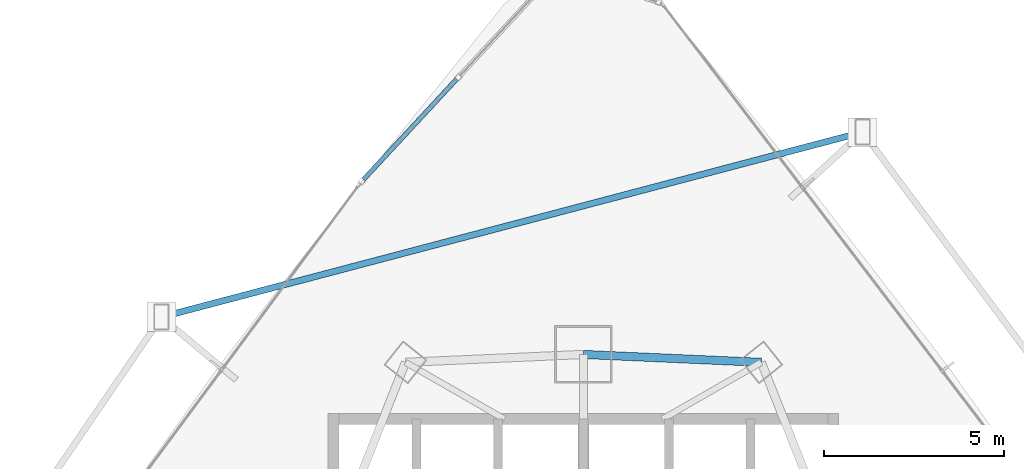
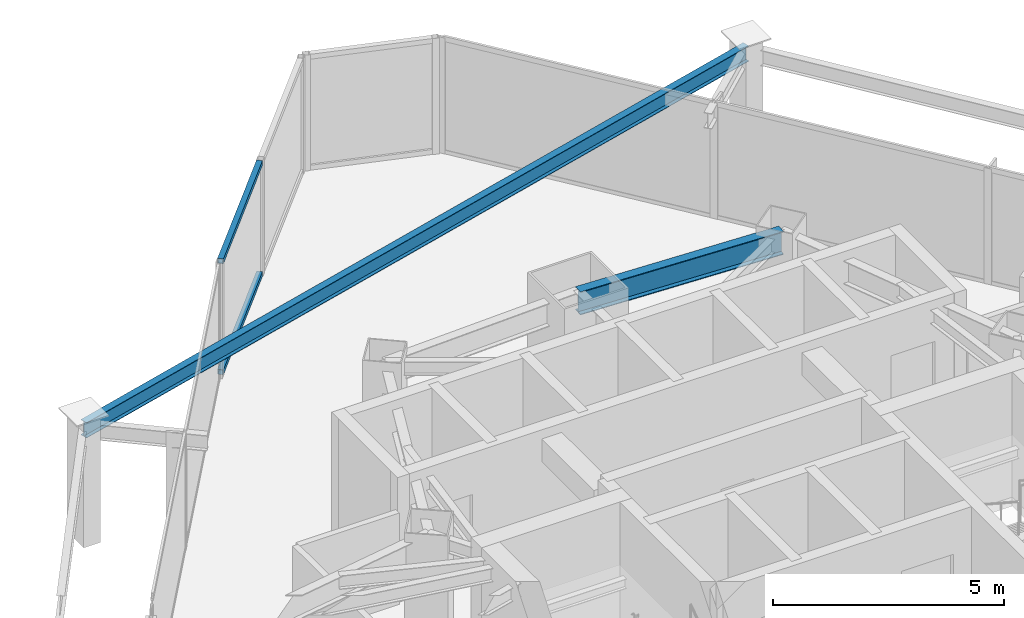
# One storey, part 26 of 38: 2 beams, 2 members, 1 element without a shape of its own.
"""IFC4 building model written with IfcOpenShell, lengths in metres."""

from ifc_helpers import new_model, si_unit, direction, frame, origin, origin_2d, place, context, subcontext, project, spatial, hollow_rectangle, i_section, extrude, material, layer, layer_set, material_profile, profile_set, type_object, element, aggregate, save


model = new_model("IFC4")

# Units and contexts
model_context = context("Model", 3, precision=1e-05, world=origin(), true_north=direction((0.0, 1.0)))
body_context = subcontext(model_context, "Body", "Model", "MODEL_VIEW")
ifc_project = project(units=[si_unit("LENGTHUNIT", "METRE"), si_unit("AREAUNIT", "SQUARE_METRE"), si_unit("VOLUMEUNIT", "CUBIC_METRE"), si_unit("PLANEANGLEUNIT", "RADIAN"), si_unit("MASSUNIT", "GRAM", prefix="KILO")], contexts=[model_context])

# Site, building, storey
site_placement = place(None, origin())
site = spatial("IfcSite", under=ifc_project, at=site_placement, CompositionType="ELEMENT")
building_placement = place(site_placement, origin())
building = spatial("IfcBuilding", under=site, at=building_placement, Name="Orvanel Arch Residences", CompositionType="ELEMENT")
storey_placement = place(building_placement, frame((0.0, 0.0, 50.0)))
storey = spatial("IfcBuildingStorey", under=building, at=storey_placement, Name="L13", CompositionType="ELEMENT", Elevation=50.0)

# Beams
ifc_material_1 = material(Name="Structural steel AS/NZS 3679.1 Grade 300 (300 MPa)", Category="steel")
ifc_material_profile_1 = material_profile(ifc_material_1, i_section(OverallWidth=0.177978515625, OverallDepth=0.406005859375, WebThickness=0.0078125, FlangeThickness=0.0126953125, at=origin_2d()), Name="410UB59.7")
ifc_profile_set_1 = profile_set([ifc_material_profile_1], Name="Structural steel AS/NZS 3679.1 Grade 300 (300 MPa)")
beam_type_1 = type_object("IfcBeamType", Name="OB-410UB-EXT", PredefinedType="SPANDREL", material=ifc_profile_set_1)
beam_1_placement = place(storey_placement, frame((40.76806640625, 47.58203125, 2.85693359375), z_axis=(-0.966939446148, -0.255006093032, 0.0), x_axis=(0.255006093032, -0.966939446148, 0.0)))
element("IfcBeam", 1, at=beam_1_placement, inside=storey, type_object=beam_type_1, Name="L13 Outer Perimeter Floor Ring Beam 12", PredefinedType="SPANDREL", context=body_context, shape_type="SweptSolid", body=[
    extrude(i_section(OverallWidth=0.177978515625, OverallDepth=0.406005859375, WebThickness=0.0078125, FlangeThickness=0.0126953125, at=origin_2d()), origin(), (0.0, 0.0, 1.0), 20.176025390625),
])
ifc_material_profile_2 = material_profile(ifc_material_1, i_section(OverallWidth=0.22900390625, OverallDepth=0.612060546875, WebThickness=0.011962890625, FlangeThickness=0.01953125, at=origin_2d()), Name="610UB125")
ifc_profile_set_2 = profile_set([ifc_material_profile_2], Name="Structural steel AS/NZS 3679.1 Grade 300 (300 MPa)")
beam_type_2 = type_object("IfcBeamType", Name="SP-610UB", PredefinedType="SPANDREL", material=ifc_profile_set_2)
beam_2_placement = place(storey_placement, frame((37.949951171875, 41.177978515625, 2.75390625), z_axis=(-0.999014049296, 0.044395149614, 0.0), x_axis=(-0.044395149614, -0.999014049296, 0.0)))
element("IfcBeam", 2, at=beam_2_placement, inside=storey, type_object=beam_type_2, Name="L13 Perimeter Spandrel Beam 16", PredefinedType="SPANDREL", context=body_context, shape_type="SweptSolid", body=[
    extrude(i_section(OverallWidth=0.22900390625, OverallDepth=0.612060546875, WebThickness=0.011962890625, FlangeThickness=0.01953125, at=origin_2d()), origin(), (0.0, 0.0, 1.0), 4.954833984375),
])

# Curtain wall, members
ifc_material_2 = material(Name="Bronze-anodised aluminium AA6063-T6", Category="aluminium")
ifc_layer = layer(ifc_material_2, 0.18994140625)
ifc_layer_set = layer_set([ifc_layer], Name="Bronze-anodised aluminium AA6063-T6")
curtain_wall_type = type_object("IfcCurtainWallType", Name="CW5-CRN-SYS", PredefinedType="NOTDEFINED", material=ifc_layer_set)
curtain_wall_placement = place(storey_placement, origin())
curtain_wall = element("IfcCurtainWall", 3, at=curtain_wall_placement, inside=storey, type_object=curtain_wall_type, Name="L13 CW5-CRN-SYS Unitised Curtain Wall", PredefinedType="NOTDEFINED")
ifc_material_profile_3 = material_profile(ifc_material_2, hollow_rectangle(XDim=0.1298828125, YDim=0.1298828125, WallThickness=0.00439453125, at=origin_2d()), Name="ALU130x130x4.5")
ifc_profile_set_3 = profile_set([ifc_material_profile_3], Name="Bronze-anodised aluminium AA6063-T6")
member_type = type_object("IfcMemberType", Name="TRN-130x130", PredefinedType="USERDEFINED", material=ifc_profile_set_3)
member_1_placement = place(storey_placement, frame((29.468505859375, 49.052001953125, 0.06494140625), z_axis=(-0.679958394269, -0.733250695236, 0.0), x_axis=(0.733250695236, -0.679958394269, 0.0)))
member_1 = element("IfcMember", 4, at=member_1_placement, type_object=member_type, Name="CW-S5 transom 2.1", ObjectType="TRANSOM", PredefinedType="USERDEFINED", context=body_context, shape_type="SweptSolid", body=[
    extrude(hollow_rectangle(XDim=0.1298828125, YDim=0.1298828125, WallThickness=0.00439453125, at=origin_2d()), origin(), (0.0, 0.0, 1.0), 3.80224609375),
])
member_2_placement = place(storey_placement, frame((29.468505859375, 49.052001953125, 2.9951171875), z_axis=(-0.679958394269, -0.733250695236, 0.0), x_axis=(0.733250695236, -0.679958394269, 0.0)))
member_2 = element("IfcMember", 5, at=member_2_placement, type_object=member_type, Name="CW-S5 transom 2.2", ObjectType="TRANSOM", PredefinedType="USERDEFINED", context=body_context, shape_type="SweptSolid", body=[
    extrude(hollow_rectangle(XDim=0.1298828125, YDim=0.1298828125, WallThickness=0.00439453125, at=origin_2d()), origin(), (0.0, 0.0, 1.0), 3.80224609375),
])
aggregate(curtain_wall, [member_1, member_2])

save(model, "model.ifc")
